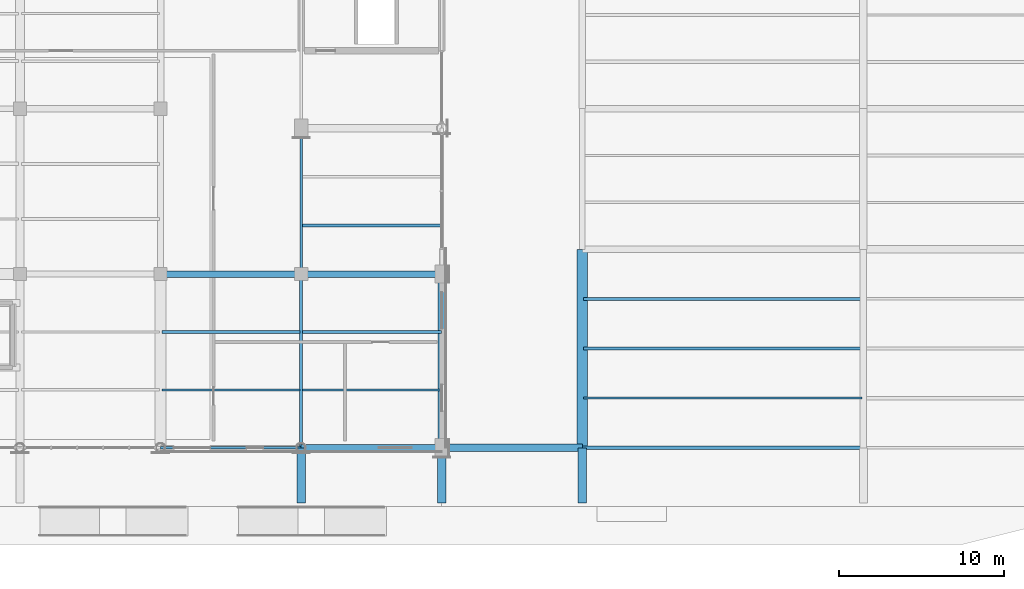
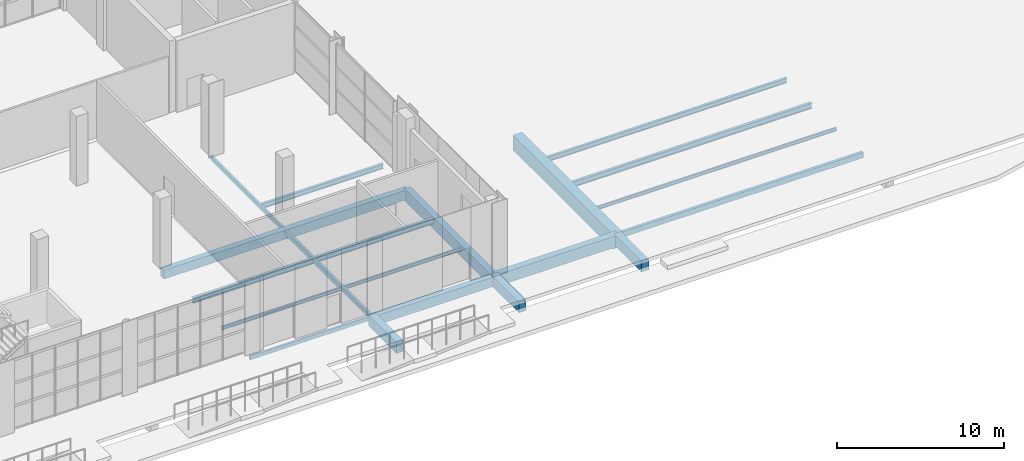
# One storey, part 15 of 90: 21 beams.
"""IFC4 building model written with IfcOpenShell, lengths in metres."""

from ifc_helpers import new_model, si_unit, direction, frame, origin, origin_2d, place, context, subcontext, project, spatial, rectangle, hollow_rectangle, i_section, extrude, material, material_profile, profile_set, type_object, element, save


model = new_model("IFC4")

# Units and contexts
model_context = context("Model", 3, precision=1e-05, world=origin(), true_north=direction((0.0, 1.0)))
body_context = subcontext(model_context, "Body", "Model", "MODEL_VIEW")
ifc_project = project(units=[si_unit("LENGTHUNIT", "METRE"), si_unit("AREAUNIT", "SQUARE_METRE"), si_unit("VOLUMEUNIT", "CUBIC_METRE"), si_unit("PLANEANGLEUNIT", "RADIAN"), si_unit("MASSUNIT", "GRAM", prefix="KILO")], contexts=[model_context])

# Site, building, storey
site_placement = place(None, origin())
site = spatial("IfcSite", under=ifc_project, at=site_placement, CompositionType="ELEMENT")
building_placement = place(site_placement, origin())
building = spatial("IfcBuilding", under=site, at=building_placement, Name="Solvikara Media Centre", CompositionType="ELEMENT")
storey_placement = place(building_placement, origin())
storey = spatial("IfcBuildingStorey", under=building, at=storey_placement, Name="L00", CompositionType="ELEMENT", Elevation=0.0)

# Beams
ifc_material_1 = material(Name="Concrete fc' 35 MPa (C35/45)", Category="concrete")
ifc_material_profile_1 = material_profile(ifc_material_1, rectangle(XDim=0.39990234375, YDim=0.64990234375, at=origin_2d()), Name="RC 400x650")
ifc_profile_set_1 = profile_set([ifc_material_profile_1], Name="Concrete fc' 35 MPa (C35/45)")
beam_type_1 = type_object("IfcBeamType", Name="BM-02", PredefinedType="BEAM", material=ifc_profile_set_1)
beam_1_placement = place(storey_placement, frame((59.5, 10.5, -0.6650390625), z_axis=(1.0, 0.0, 0.0), x_axis=(0.0, 1.0, 0.0)))
element("IfcBeam", 1, at=beam_1_placement, inside=storey, type_object=beam_type_1, Name="B-L00-X0026", PredefinedType="BEAM", context=body_context, shape_type="SweptSolid", body=[
    extrude(rectangle(XDim=0.39990234375, YDim=0.64990234375, at=origin_2d()), origin(), (0.0, 0.0, 1.0), 8.5),
])
ifc_material_profile_2 = material_profile(ifc_material_1, rectangle(XDim=0.39990234375, YDim=0.699951171875, at=origin_2d()), Name="RC 400x700")
ifc_profile_set_2 = profile_set([ifc_material_profile_2], Name="Concrete fc' 35 MPa (C35/45)")
beam_type_2 = type_object("IfcBeamType", Name="BM-03", PredefinedType="BEAM", material=ifc_profile_set_2)
beam_2_placement = place(storey_placement, frame((68.0, 10.5, -0.68994140625), z_axis=(1.0, 0.0, 0.0), x_axis=(0.0, 1.0, 0.0)))
element("IfcBeam", 2, at=beam_2_placement, inside=storey, type_object=beam_type_2, Name="B-L00-X0027", PredefinedType="BEAM", context=body_context, shape_type="SweptSolid", body=[
    extrude(rectangle(XDim=0.39990234375, YDim=0.699951171875, at=origin_2d()), origin(), (0.0, 0.0, 1.0), 8.5),
])
ifc_material_profile_3 = material_profile(ifc_material_1, rectangle(XDim=0.5, YDim=0.800048828125, at=origin_2d()), Name="RC 500x800")
ifc_profile_set_3 = profile_set([ifc_material_profile_3], Name="Concrete fc' 35 MPa (C35/45)")
beam_type_3 = type_object("IfcBeamType", Name="BM-07", PredefinedType="BEAM", material=ifc_profile_set_3)
for number, where, z_axis, x_axis, name in (
    (3, (68.0, -3.330078125, -0.64990234375), (0.0, 1.0, 0.0), (-1.0, 0.0, 0.0), "B-L00-PRM-026"),
    (4, (76.5, -3.330078125, -0.64990234375), (0.0, 1.0, 0.0), (-1.0, 0.0, 0.0), "B-L00-PRM-027"),
    (5, (85.0, -3.330078125, -0.64990234375), (0.0, 1.0, 0.0), (-1.0, 0.0, 0.0), "B-L00-PRM-028"),
):
    element("IfcBeam", number, at=place(storey_placement, frame(where, z_axis=z_axis, x_axis=x_axis)), inside=storey, type_object=beam_type_3, Name=name, PredefinedType="BEAM", context=body_context, shape_type="SweptSolid", body=[
        extrude(rectangle(XDim=0.5, YDim=0.800048828125, at=origin_2d()), origin(), (0.0, 0.0, 1.0), 3.330078125),
    ])
ifc_material_2 = material(Name="Concrete fc' 45 MPa (C45/55)", Category="concrete")
ifc_material_profile_4 = material_profile(ifc_material_2, rectangle(XDim=0.64990234375, YDim=1.10009765625, at=origin_2d()), Name="RC 650x1100")
ifc_profile_set_4 = profile_set([ifc_material_profile_4], Name="Concrete fc' 45 MPa (C45/55)")
beam_type_4 = type_object("IfcBeamType", Name="BM-12", PredefinedType="BEAM", material=ifc_profile_set_4)
beam_3_placement = place(storey_placement, frame((85.0, 0.0, -0.800048828125), z_axis=(0.0, 1.0, 0.0), x_axis=(-1.0, 0.0, 0.0)))
element("IfcBeam", 6, at=beam_3_placement, inside=storey, type_object=beam_type_4, Name="B-L00-Y0180", PredefinedType="BEAM", context=body_context, shape_type="SweptSolid", body=[
    extrude(rectangle(XDim=0.64990234375, YDim=1.10009765625, at=origin_2d()), origin(), (0.0, 0.0, 1.0), 12.0),
])
ifc_material_profile_5 = material_profile(ifc_material_1, rectangle(XDim=0.39990234375, YDim=0.699951171875, at=origin_2d()), Name="RC 400x700")
ifc_profile_set_5 = profile_set([ifc_material_profile_5], Name="Concrete fc' 35 MPa (C35/45)")
beam_type_5 = type_object("IfcBeamType", Name="BM-13", PredefinedType="SPANDREL", material=ifc_profile_set_5)
beam_4_placement = place(storey_placement, frame((68.0, 0.0, -0.68994140625), z_axis=(1.0, 0.0, 0.0), x_axis=(0.0, 1.0, 0.0)))
element("IfcBeam", 7, at=beam_4_placement, inside=storey, type_object=beam_type_5, Name="B-L00-X0009", PredefinedType="SPANDREL", context=body_context, shape_type="SweptSolid", body=[
    extrude(rectangle(XDim=0.39990234375, YDim=0.699951171875, at=origin_2d()), origin(), (0.0, 0.0, 1.0), 8.5),
])
ifc_material_profile_6 = material_profile(ifc_material_1, rectangle(XDim=0.449951171875, YDim=0.85009765625, at=origin_2d()), Name="RC 450x850")
ifc_profile_set_6 = profile_set([ifc_material_profile_6], Name="Concrete fc' 35 MPa (C35/45)")
beam_type_6 = type_object("IfcBeamType", Name="BM-14", PredefinedType="SPANDREL", material=ifc_profile_set_6)
beam_5_placement = place(storey_placement, frame((76.5, 0.0, -0.675048828125), z_axis=(1.0, 0.0, 0.0), x_axis=(0.0, 1.0, 0.0)))
element("IfcBeam", 8, at=beam_5_placement, inside=storey, type_object=beam_type_6, Name="B-L00-X0010", PredefinedType="SPANDREL", context=body_context, shape_type="SweptSolid", body=[
    extrude(rectangle(XDim=0.449951171875, YDim=0.85009765625, at=origin_2d()), origin(), (0.0, 0.0, 1.0), 8.5),
])
beam_6_placement = place(storey_placement, frame((76.5, 0.0, -0.764892578125), z_axis=(0.0, 1.0, 0.0), x_axis=(-1.0, 0.0, 0.0)))
element("IfcBeam", 9, at=beam_6_placement, inside=storey, type_object=beam_type_6, Name="B-L00-Y0176", PredefinedType="SPANDREL", context=body_context, shape_type="SweptSolid", body=[
    extrude(rectangle(XDim=0.449951171875, YDim=0.85009765625, at=origin_2d()), origin(), (0.0, 0.0, 1.0), 10.5),
])
ifc_material_3 = material(Name="Steel S355JR", Category="steel")
ifc_material_profile_7 = material_profile(ifc_material_3, i_section(OverallWidth=0.199951171875, OverallDepth=0.39990234375, WebThickness=0.008056640625, FlangeThickness=0.012939453125, at=origin_2d()), Name="WF 400x200x8x13")
ifc_profile_set_7 = profile_set([ifc_material_profile_7], Name="Steel S355JR")
beam_type_7 = type_object("IfcBeamType", Name="BM-21", PredefinedType="JOIST", material=ifc_profile_set_7)
beam_7_placement = place(storey_placement, frame((59.577880859375, 7.0, -0.5419921875), z_axis=(1.0, 0.0, 0.0), x_axis=(0.0, 1.0, 0.0)))
element("IfcBeam", 10, at=beam_7_placement, inside=storey, type_object=beam_type_7, Name="J-L00-0353", PredefinedType="JOIST", context=body_context, shape_type="SweptSolid", body=[
    extrude(i_section(OverallWidth=0.199951171875, OverallDepth=0.39990234375, WebThickness=0.008056640625, FlangeThickness=0.012939453125, at=origin_2d()), origin(), (0.0, 0.0, 1.0), 8.34423828125),
])
beam_8_placement = place(storey_placement, frame((85.077880859375, 6.0, -0.451904296875), z_axis=(1.0, 0.0, 0.0), x_axis=(0.0, 1.0, 0.0)))
element("IfcBeam", 11, at=beam_8_placement, inside=storey, type_object=beam_type_7, Name="J-L00-0361", PredefinedType="JOIST", context=body_context, shape_type="SweptSolid", body=[
    extrude(i_section(OverallWidth=0.199951171875, OverallDepth=0.39990234375, WebThickness=0.008056640625, FlangeThickness=0.012939453125, at=origin_2d()), origin(), (0.0, 0.0, 1.0), 16.84423828125),
])
ifc_material_profile_8 = material_profile(ifc_material_3, i_section(OverallWidth=0.175048828125, OverallDepth=0.35009765625, WebThickness=0.007080078125, FlangeThickness=0.010986328125, at=origin_2d()), Name="WF 350x175x7x11")
ifc_profile_set_8 = profile_set([ifc_material_profile_8], Name="Steel S355JR")
beam_type_8 = type_object("IfcBeamType", Name="BM-22", PredefinedType="JOIST", material=ifc_profile_set_8)
beam_9_placement = place(storey_placement, frame((85.077880859375, 9.0, -0.427001953125), z_axis=(1.0, 0.0, 0.0), x_axis=(0.0, 1.0, 0.0)))
element("IfcBeam", 12, at=beam_9_placement, inside=storey, type_object=beam_type_8, Name="J-L00-0362", PredefinedType="JOIST", context=body_context, shape_type="SweptSolid", body=[
    extrude(i_section(OverallWidth=0.175048828125, OverallDepth=0.35009765625, WebThickness=0.007080078125, FlangeThickness=0.010986328125, at=origin_2d()), origin(), (0.0, 0.0, 1.0), 16.84423828125),
])
ifc_material_profile_9 = material_profile(ifc_material_3, i_section(OverallWidth=0.125, OverallDepth=0.25, WebThickness=0.006103515625, FlangeThickness=0.009033203125, at=origin_2d()), Name="WF 250x125x6x9")
ifc_profile_set_9 = profile_set([ifc_material_profile_9], Name="Steel S355JR")
beam_type_9 = type_object("IfcBeamType", Name="BM-24", PredefinedType="JOIST", material=ifc_profile_set_9)
beam_10_placement = place(storey_placement, frame((68.077880859375, 3.5, -0.467041015625), z_axis=(1.0, 0.0, 0.0), x_axis=(0.0, 1.0, 0.0)))
element("IfcBeam", 13, at=beam_10_placement, inside=storey, type_object=beam_type_9, Name="J-L00-0356", PredefinedType="JOIST", context=body_context, shape_type="SweptSolid", body=[
    extrude(i_section(OverallWidth=0.125, OverallDepth=0.25, WebThickness=0.006103515625, FlangeThickness=0.009033203125, at=origin_2d()), origin(), (0.0, 0.0, 1.0), 8.422119140625),
])
ifc_material_profile_10 = material_profile(ifc_material_3, hollow_rectangle(XDim=0.199951171875, YDim=0.39990234375, WallThickness=0.011962890625, at=origin_2d()), Name="RHS 400x200x12")
ifc_profile_set_10 = profile_set([ifc_material_profile_10], Name="Steel S355JR")
beam_type_10 = type_object("IfcBeamType", Name="BM-33", PredefinedType="SPANDREL", material=ifc_profile_set_10)
beam_11_placement = place(storey_placement, frame((85.0, 0.0, -0.451904296875), z_axis=(1.0, 0.0, 0.0), x_axis=(0.0, 1.0, 0.0)))
element("IfcBeam", 14, at=beam_11_placement, inside=storey, type_object=beam_type_10, Name="B-L00-X0011", PredefinedType="SPANDREL", context=body_context, shape_type="SweptSolid", body=[
    extrude(hollow_rectangle(XDim=0.199951171875, YDim=0.39990234375, WallThickness=0.011962890625, at=origin_2d()), origin(), (0.0, 0.0, 1.0), 17.0),
])
ifc_material_profile_11 = material_profile(ifc_material_3, hollow_rectangle(XDim=0.175048828125, YDim=0.35009765625, WallThickness=0.010009765625, at=origin_2d()), Name="RHS 350x175x10")
ifc_profile_set_11 = profile_set([ifc_material_profile_11], Name="Steel S355JR")
beam_type_11 = type_object("IfcBeamType", Name="BM-34", PredefinedType="SPANDREL", material=ifc_profile_set_11)
beam_12_placement = place(storey_placement, frame((68.0, 0.0, -0.51708984375), z_axis=(0.0, 1.0, 0.0), x_axis=(-1.0, 0.0, 0.0)))
element("IfcBeam", 15, at=beam_12_placement, inside=storey, type_object=beam_type_11, Name="B-L00-Y0172", PredefinedType="SPANDREL", context=body_context, shape_type="SweptSolid", body=[
    extrude(hollow_rectangle(XDim=0.175048828125, YDim=0.35009765625, WallThickness=0.010009765625, at=origin_2d()), origin(), (0.0, 0.0, 1.0), 10.5),
])
ifc_material_profile_12 = material_profile(ifc_material_3, hollow_rectangle(XDim=0.14990234375, YDim=0.300048828125, WallThickness=0.010009765625, at=origin_2d()), Name="RHS 300x150x10")
ifc_profile_set_12 = profile_set([ifc_material_profile_12], Name="Steel S355JR")
beam_type_12 = type_object("IfcBeamType", Name="BM-35", PredefinedType="BEAM", material=ifc_profile_set_12)
beam_13_placement = place(storey_placement, frame((68.0, 10.5, -0.491943359375), z_axis=(0.0, 1.0, 0.0), x_axis=(-1.0, 0.0, 0.0)))
element("IfcBeam", 16, at=beam_13_placement, inside=storey, type_object=beam_type_12, Name="B-L00-Y0173", PredefinedType="BEAM", context=body_context, shape_type="SweptSolid", body=[
    extrude(hollow_rectangle(XDim=0.14990234375, YDim=0.300048828125, WallThickness=0.010009765625, at=origin_2d()), origin(), (0.0, 0.0, 1.0), 8.823974609375),
])
ifc_material_profile_13 = material_profile(ifc_material_3, i_section(OverallWidth=0.198974609375, OverallDepth=0.39599609375, WebThickness=0.007080078125, FlangeThickness=0.010986328125, at=origin_2d()), Name="WF 396x199x7x11")
ifc_profile_set_13 = profile_set([ifc_material_profile_13], Name="Steel S355JR")
beam_type_13 = type_object("IfcBeamType", Name="BM-37", PredefinedType="JOIST", material=ifc_profile_set_13)
beam_14_placement = place(storey_placement, frame((68.077880859375, 7.0, -0.5400390625), z_axis=(1.0, 0.0, 0.0), x_axis=(0.0, 1.0, 0.0)))
element("IfcBeam", 17, at=beam_14_placement, inside=storey, type_object=beam_type_13, Name="J-L00-0357", PredefinedType="JOIST", context=body_context, shape_type="SweptSolid", body=[
    extrude(i_section(OverallWidth=0.198974609375, OverallDepth=0.39599609375, WebThickness=0.007080078125, FlangeThickness=0.010986328125, at=origin_2d()), origin(), (0.0, 0.0, 1.0), 8.422119140625),
])
ifc_material_profile_14 = material_profile(ifc_material_3, i_section(OverallWidth=0.174072265625, OverallDepth=0.345947265625, WebThickness=0.006103515625, FlangeThickness=0.009033203125, at=origin_2d()), Name="WF 346x174x6x9")
ifc_profile_set_14 = profile_set([ifc_material_profile_14], Name="Steel S355JR")
beam_type_14 = type_object("IfcBeamType", Name="BM-38", PredefinedType="JOIST", material=ifc_profile_set_14)
beam_15_placement = place(storey_placement, frame((68.077880859375, 13.44091796875, -0.514892578125), z_axis=(1.0, 0.0, 0.0), x_axis=(0.0, 1.0, 0.0)))
element("IfcBeam", 18, at=beam_15_placement, inside=storey, type_object=beam_type_14, Name="J-L00-0358", PredefinedType="JOIST", context=body_context, shape_type="SweptSolid", body=[
    extrude(i_section(OverallWidth=0.174072265625, OverallDepth=0.345947265625, WebThickness=0.006103515625, FlangeThickness=0.009033203125, at=origin_2d()), origin(), (0.0, 0.0, 1.0), 8.422119140625),
])
ifc_material_profile_15 = material_profile(ifc_material_3, i_section(OverallWidth=0.1240234375, OverallDepth=0.248046875, WebThickness=0.0048828125, FlangeThickness=0.008056640625, at=origin_2d()), Name="WF 248x124x5x8")
ifc_profile_set_15 = profile_set([ifc_material_profile_15], Name="Steel S355JR")
beam_type_15 = type_object("IfcBeamType", Name="BM-40", PredefinedType="JOIST", material=ifc_profile_set_15)
beam_16_placement = place(storey_placement, frame((59.577880859375, 3.5, -0.466064453125), z_axis=(1.0, 0.0, 0.0), x_axis=(0.0, 1.0, 0.0)))
element("IfcBeam", 19, at=beam_16_placement, inside=storey, type_object=beam_type_15, Name="J-L00-0352", PredefinedType="JOIST", context=body_context, shape_type="SweptSolid", body=[
    extrude(i_section(OverallWidth=0.1240234375, OverallDepth=0.248046875, WebThickness=0.0048828125, FlangeThickness=0.008056640625, at=origin_2d()), origin(), (0.0, 0.0, 1.0), 8.34423828125),
])
beam_17_placement = place(storey_placement, frame((85.077880859375, 3.0, -0.3759765625), z_axis=(1.0, 0.0, 0.0), x_axis=(0.0, 1.0, 0.0)))
element("IfcBeam", 20, at=beam_17_placement, inside=storey, type_object=beam_type_15, Name="J-L00-0360", PredefinedType="JOIST", context=body_context, shape_type="SweptSolid", body=[
    extrude(i_section(OverallWidth=0.1240234375, OverallDepth=0.248046875, WebThickness=0.0048828125, FlangeThickness=0.008056640625, at=origin_2d()), origin(), (0.0, 0.0, 1.0), 16.84423828125),
])
ifc_material_profile_16 = material_profile(ifc_material_3, hollow_rectangle(XDim=0.139892578125, YDim=0.280029296875, WallThickness=0.008056640625, at=origin_2d()), Name="RHS 280x140x8")
ifc_profile_set_16 = profile_set([ifc_material_profile_16], Name="Steel S355JR")
beam_type_16 = type_object("IfcBeamType", Name="BM-46", PredefinedType="SPANDREL", material=ifc_profile_set_16)
beam_18_placement = place(storey_placement, frame((59.5, 0.0, -0.48193359375), z_axis=(1.0, 0.0, 0.0), x_axis=(0.0, 1.0, 0.0)))
element("IfcBeam", 21, at=beam_18_placement, inside=storey, type_object=beam_type_16, Name="B-L00-X0008", PredefinedType="SPANDREL", context=body_context, shape_type="SweptSolid", body=[
    extrude(hollow_rectangle(XDim=0.139892578125, YDim=0.280029296875, WallThickness=0.008056640625, at=origin_2d()), origin(), (0.0, 0.0, 1.0), 8.5),
])

save(model, "model.ifc")
